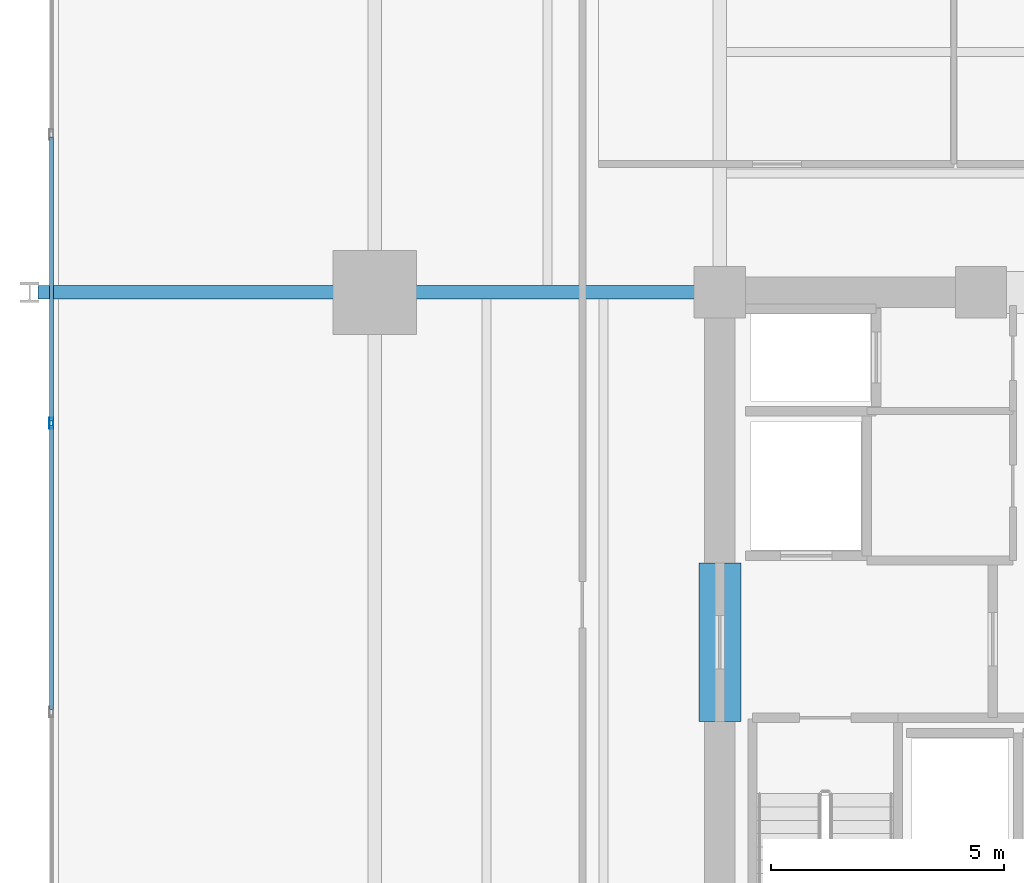
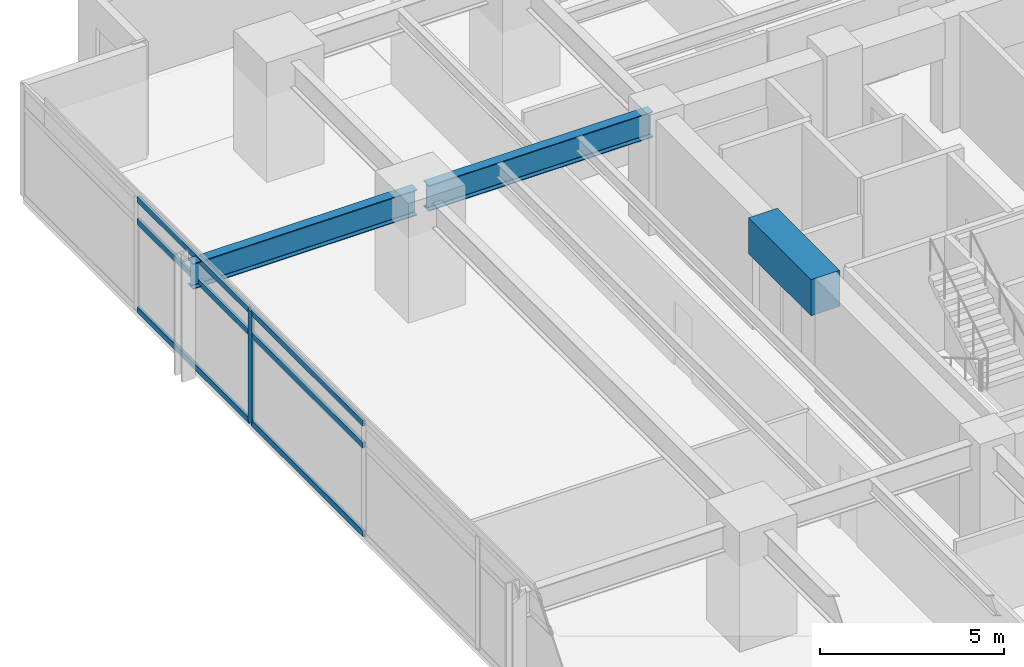
# One storey, part 7 of 22: 7 members, 3 beams, 1 element without a shape of its own.
"""IFC4 building model written with IfcOpenShell, lengths in metres."""

import ifcopenshell
import ifcopenshell.guid

model = None  # the IFC model being written
_history = None  # IfcOwnerHistory: only IFC2X3 demands one
_inside = {}  # id of a spatial element -> (the spatial element, [elements in it])
_under = {}  # id of a project, library or spatial element -> (it, [spatial elements below it])
_declared = {}  # id of a project -> (the project, [libraries it declares])
_typed = {}  # id of a type object -> (the type object, [elements of that type])
_made_of = {}  # id of a material, layer set ... -> (it, [elements and type objects made of it])


def new_model(schema):
    """Start an empty IFC model of exactly this schema.

    Asked for "IFC4X3", IfcOpenShell would pick the latest addendum, in which some entities
    have other attributes; the version numbers below select the first issue.
    IFC2X3 requires an IfcOwnerHistory on every rooted entity: one is made here for all.
    """
    global model, _history
    if schema == "IFC4X3":
        model = ifcopenshell.file(schema_version=(4, 3, 0, 0))
    else:
        model = ifcopenshell.file(schema=schema)
    _inside.clear()
    _under.clear()
    _declared.clear()
    _typed.clear()
    _made_of.clear()
    _history = None
    if model.schema == "IFC2X3":
        org = make("IfcOrganization", Name="unknown")
        user = make(
            "IfcPersonAndOrganization",
            ThePerson=make("IfcPerson", FamilyName="unknown"),
            TheOrganization=org,
        )
        app = make(
            "IfcApplication",
            ApplicationDeveloper=org,
            Version="unknown",
            ApplicationFullName="unknown",
            ApplicationIdentifier="unknown",
        )
        _history = make(
            "IfcOwnerHistory",
            OwningUser=user,
            OwningApplication=app,
            ChangeAction="ADDED",
            CreationDate=0,
        )
    return model


def make(cls, **values):
    """One entity of the class cls with the attributes given. An attribute that is None is left unset."""
    return model.create_entity(
        cls, **{name: value for name, value in values.items() if value is not None}
    )


def rooted(cls, **values):
    """An entity with a GlobalId (a new one), such as an element, a storey or a relation."""
    return make(cls, GlobalId=ifcopenshell.guid.new(), OwnerHistory=_history, **values)


def si_unit(unit_type, name, prefix=None):
    """IfcSIUnit, for example si_unit("LENGTHUNIT", "METRE", prefix="MILLI")."""
    return make("IfcSIUnit", UnitType=unit_type, Prefix=prefix, Name=name)


def assignment(units):
    """IfcUnitAssignment: the units of a project."""
    return None if units is None else make("IfcUnitAssignment", Units=units)


def point(xyz):
    """IfcCartesianPoint."""
    return None if xyz is None else make("IfcCartesianPoint", Coordinates=xyz)


def direction(xyz):
    """IfcDirection."""
    return None if xyz is None else make("IfcDirection", DirectionRatios=xyz)


def frame(location, z_axis=None, x_axis=None):
    """IfcAxis2Placement3D, a coordinate frame: its origin and axes. An axis left out is left unset."""
    return make(
        "IfcAxis2Placement3D",
        Location=point(location),
        Axis=direction(z_axis),
        RefDirection=direction(x_axis),
    )


def frame_2d(location, x_axis=None):
    """IfcAxis2Placement2D, a coordinate frame in the plane: its origin and x axis."""
    return make(
        "IfcAxis2Placement2D", Location=point(location), RefDirection=direction(x_axis)
    )


def origin():
    """The frame at (0, 0, 0) with its axes left unset."""
    return frame((0.0, 0.0, 0.0))


def origin_2d():
    """The frame at (0, 0) in the plane with its x axis left unset."""
    return frame_2d((0.0, 0.0))


def place(relative_to, where):
    """IfcLocalPlacement: puts the frame where relative to a parent placement (None: the world)."""
    return make(
        "IfcLocalPlacement", PlacementRelTo=relative_to, RelativePlacement=where
    )


def context(
    kind, dimensions, precision=None, world=None, true_north=None, identifier=None
):
    """IfcGeometricRepresentationContext, for example the 3D "Model" context."""
    return make(
        "IfcGeometricRepresentationContext",
        ContextIdentifier=identifier,
        ContextType=kind,
        CoordinateSpaceDimension=dimensions,
        Precision=precision,
        WorldCoordinateSystem=world,
        TrueNorth=true_north,
    )


def subcontext(parent, identifier, kind, view, scale=None):
    """IfcGeometricRepresentationSubContext, for example "Body" below "Model"."""
    return make(
        "IfcGeometricRepresentationSubContext",
        ContextIdentifier=identifier,
        ContextType=kind,
        ParentContext=parent,
        TargetScale=scale,
        TargetView=view,
    )


def project(units=None, contexts=None):
    """IfcProject with its units and contexts."""
    return rooted(
        "IfcProject",
        Name="project",
        RepresentationContexts=contexts,
        UnitsInContext=assignment(units),
    )


def spatial(cls, under=None, at=None, **own):
    """A site, building, storey or space (cls), placed at a placement, below another one or the project."""
    s = rooted(cls, ObjectPlacement=at, **own)
    if under is not None:
        _under.setdefault(under.id(), (under, []))[1].append(s)
    return s


def profile(cls, at=None, kind="AREA", **sizes):
    """A parametric profile (cls). Its sizes go by their IFC names, for example OverallWidth=200.0."""
    return make(cls, ProfileType=kind, Position=at, **sizes)


def rectangle(**sizes):
    """IfcRectangleProfileDef."""
    return profile("IfcRectangleProfileDef", **sizes)


def hollow_rectangle(**sizes):
    """IfcRectangleHollowProfileDef."""
    return profile("IfcRectangleHollowProfileDef", **sizes)


def i_section(**sizes):
    """IfcIShapeProfileDef."""
    return profile("IfcIShapeProfileDef", **sizes)


def extrude(swept, where, along, depth):
    """IfcExtrudedAreaSolid: the profile swept, set in the frame where, extruded along a direction by depth."""
    return make(
        "IfcExtrudedAreaSolid",
        SweptArea=swept,
        Position=where,
        ExtrudedDirection=direction(along),
        Depth=depth,
    )


def shape(context_of_items, identifier, shape_type, items):
    """IfcShapeRepresentation: the items that make up one representation, for example the "Body"."""
    return make(
        "IfcShapeRepresentation",
        ContextOfItems=context_of_items,
        RepresentationIdentifier=identifier,
        RepresentationType=shape_type,
        Items=items,
    )


def material(Name=None, Category=None):
    """IfcMaterial."""
    return make("IfcMaterial", Name=Name, Category=Category)


def material_profile(
    of_material, cross_section, Name=None, Category=None, Priority=None
):
    """IfcMaterialProfile: a cross section and its material."""
    return make(
        "IfcMaterialProfile",
        Name=Name,
        Material=of_material,
        Profile=cross_section,
        Priority=Priority,
        Category=Category,
    )


def profile_set(profiles, Name=None, composite=None):
    """IfcMaterialProfileSet."""
    return make(
        "IfcMaterialProfileSet",
        Name=Name,
        MaterialProfiles=profiles,
        CompositeProfile=composite,
    )


def made_of(thing, what):
    """Note that an element or type object is made of a material, layer set ...; save() writes the relation."""
    if what is not None:
        _made_of.setdefault(what.id(), (what, []))[1].append(thing)
    return thing


def type_object(cls, material=None, **own):
    """A type object (cls), such as IfcWallType, which elements share."""
    return made_of(rooted(cls, **own), material)


def element(
    cls,
    number,
    at=None,
    inside=None,
    cuts=None,
    type_object=None,
    material=None,
    context=None,
    identifier="Body",
    shape_type=None,
    held_by="IfcProductDefinitionShape",
    body=None,
    shapes=None,
    **own,
):
    """One element of the class cls, such as IfcWall. Its Tag is "e" and its number.

    at: its placement. inside: the storey or other place that contains it. cuts: it is an
    opening in that element (IfcRelVoidsElement). A single representation is given by context,
    identifier, shape_type and body (its items); several are given by shapes. held_by: the class
    of the entity that holds the representations. save() writes the other relations.
    """
    e = rooted(cls, Tag="e%d" % number, ObjectPlacement=at, **own)
    if body is not None:
        shapes = [shape(context, identifier, shape_type, body)]
    if shapes is not None:
        e.Representation = make(held_by, Representations=shapes)
    if inside is not None:
        _inside.setdefault(inside.id(), (inside, []))[1].append(e)
    if cuts is not None:
        rooted(
            "IfcRelVoidsElement", RelatingBuildingElement=cuts, RelatedOpeningElement=e
        )
    if type_object is not None:
        _typed.setdefault(type_object.id(), (type_object, []))[1].append(e)
    return made_of(e, material)


def aggregate(whole, parts):
    """IfcRelAggregates: a whole, such as a stair, and the parts it consists of."""
    return rooted("IfcRelAggregates", RelatingObject=whole, RelatedObjects=parts)


def save(model, path):
    """Write the relations noted so far, then the file.

    IfcRelAggregates (storeys below a building ...), IfcRelContainedInSpatialStructure (elements
    in a storey), IfcRelDefinesByType, IfcRelAssociatesMaterial and IfcRelDeclares: one each for
    every whole, place, type object, material and project.
    """
    for whole, parts in _under.values():
        aggregate(whole, parts)
    for where, things in _inside.values():
        rooted(
            "IfcRelContainedInSpatialStructure",
            RelatedElements=things,
            RelatingStructure=where,
        )
    for kind, things in _typed.values():
        rooted("IfcRelDefinesByType", RelatedObjects=things, RelatingType=kind)
    for what, things in _made_of.values():
        rooted("IfcRelAssociatesMaterial", RelatedObjects=things, RelatingMaterial=what)
    for by, libraries in _declared.values():
        rooted("IfcRelDeclares", RelatingContext=by, RelatedDefinitions=libraries)
    model.write(path)


model = new_model("IFC4")

# Units and contexts
model_context = context("Model", 3, precision=1e-05, world=origin(), true_north=direction((0.0, 1.0)))
body_context = subcontext(model_context, "Body", "Model", "MODEL_VIEW")
ifc_project = project(units=[si_unit("LENGTHUNIT", "METRE"), si_unit("AREAUNIT", "SQUARE_METRE"), si_unit("VOLUMEUNIT", "CUBIC_METRE"), si_unit("PLANEANGLEUNIT", "RADIAN"), si_unit("MASSUNIT", "GRAM", prefix="KILO")], contexts=[model_context])

# Site, building, storey
site_placement = place(None, origin())
site = spatial("IfcSite", under=ifc_project, at=site_placement, CompositionType="ELEMENT")
building_placement = place(site_placement, origin())
building = spatial("IfcBuilding", under=site, at=building_placement, Name="Kovane Verandah Tower", CompositionType="ELEMENT")
storey_placement = place(building_placement, frame((0.0, 0.0, 43.60009765625)))
storey = spatial("IfcBuildingStorey", under=building, at=storey_placement, Name="L09", CompositionType="ELEMENT", Elevation=43.60009765625)

# Beams
ifc_material_1 = material(Name="Concrete C80/95", Category="concrete")
ifc_material_profile_1 = material_profile(ifc_material_1, rectangle(XDim=0.89990234375, YDim=1.199951171875, at=origin_2d()), Name="RCB900x1200")
ifc_profile_set_1 = profile_set([ifc_material_profile_1], Name="Concrete C80/95")
beam_type_1 = type_object("IfcBeamType", Name="BM-LINTEL-900x1200", PredefinedType="LINTEL", material=ifc_profile_set_1)
beam_placement = place(storey_placement, frame((29.0, 27.300048828125, 3.159912109375), z_axis=(0.0, 1.0, 0.0), x_axis=(-1.0, 0.0, 0.0)))
element("IfcBeam", 1, at=beam_placement, inside=storey, type_object=beam_type_1, Name="L09 Core Coupling Lintel CL-W", PredefinedType="LINTEL", context=body_context, shape_type="SweptSolid", body=[
    extrude(rectangle(XDim=0.89990234375, YDim=1.199951171875, at=origin_2d()), origin(), (0.0, 0.0, 1.0), 3.39990234375),
])
ifc_material_2 = material(Name="Steel S355", Category="steel")
ifc_material_profile_2 = material_profile(ifc_material_2, i_section(OverallWidth=0.293701171875, OverallDepth=0.850830078125, WebThickness=0.01611328125, FlangeThickness=0.02685546875, FilletRadius=0.017822265625, at=origin_2d()), Name="UB838x292x226")
ifc_profile_set_2 = profile_set([ifc_material_profile_2], Name="Steel S355")
beam_type_2 = type_object("IfcBeamType", Name="BM-UB838x226", PredefinedType="BEAM", material=ifc_profile_set_2)
for number, where, z_axis, x_axis, name in (
    (2, (28.820068359375, 36.5, 3.33447265625), (-1.0, 0.0, 0.0), (0.0, -1.0, 0.0), "L09 Primary Tower Girder G-W2"),
    (3, (21.419921875, 36.5, 3.33447265625), (-1.0, 0.0, 0.0), (0.0, -1.0, 0.0), "L09 Primary Tower Girder G-VW2"),
):
    element("IfcBeam", number, at=place(storey_placement, frame(where, z_axis=z_axis, x_axis=x_axis)), inside=storey, type_object=beam_type_2, Name=name, PredefinedType="BEAM", context=body_context, shape_type="SweptSolid", body=[
        extrude(i_section(OverallWidth=0.293701171875, OverallDepth=0.850830078125, WebThickness=0.01611328125, FlangeThickness=0.02685546875, FilletRadius=0.017822265625, at=origin_2d()), origin(), (0.0, 0.0, 1.0), 7.0400390625),
    ])

# Curtain wall, members
ifc_material_3 = material(Name="Champagne Anodised Aluminium Frame with Low-E Clear Laminated Glass", Category="aluminium")
curtain_wall_type = type_object("IfcCurtainWallType", Name="CW-SYS-02-LOW", PredefinedType="NOTDEFINED", material=ifc_material_3)
curtain_wall_placement = place(storey_placement, origin())
curtain_wall = element("IfcCurtainWall", 4, at=curtain_wall_placement, inside=storey, type_object=curtain_wall_type, Name="L09 W Unitised Curtain Wall", PredefinedType="NOTDEFINED")
ifc_material_4 = material(Name="Champagne Anodised Aluminium 6063-T6", Category="aluminium")
ifc_material_profile_3 = material_profile(ifc_material_4, hollow_rectangle(XDim=0.0849609375, YDim=0.22998046875, WallThickness=0.00390625, at=origin_2d()), Name="AL85x230x4")
ifc_profile_set_3 = profile_set([ifc_material_profile_3], Name="Champagne Anodised Aluminium 6063-T6")
member_type_1 = type_object("IfcMemberType", Name="CW-MUL-85x230", PredefinedType="MULLION", material=ifc_profile_set_3)
member_1_placement = place(storey_placement, frame((14.6669921875, 33.69091796875, 0.02001953125), z_axis=(0.0, 0.0, 1.0), x_axis=(-1.0, 0.0, 0.0)))
member_1 = element("IfcMember", 5, at=member_1_placement, type_object=member_type_1, Name="L09 W Unitised Curtain Wall Mullion 3", PredefinedType="MULLION", context=body_context, shape_type="SweptSolid", body=[
    extrude(hollow_rectangle(XDim=0.0849609375, YDim=0.22998046875, WallThickness=0.00390625, at=origin_2d()), origin(), (0.0, 0.0, 1.0), 3.719970703125),
])
ifc_material_profile_4 = material_profile(ifc_material_4, hollow_rectangle(XDim=0.0849609375, YDim=0.18994140625, WallThickness=0.00390625, at=origin_2d()), Name="AL85x190x4")
ifc_profile_set_4 = profile_set([ifc_material_profile_4], Name="Champagne Anodised Aluminium 6063-T6")
member_type_2 = type_object("IfcMemberType", Name="CW-TRN-85x190", PredefinedType="USERDEFINED", material=ifc_profile_set_4)
member_2_placement = place(storey_placement, frame((14.6669921875, 39.83203125, 0.0498046875), z_axis=(0.0, -1.0, 0.0), x_axis=(1.0, 0.0, 0.0)))
member_2 = element("IfcMember", 6, at=member_2_placement, type_object=member_type_2, Name="L09 W Unitised Curtain Wall Transom TB Bay 2", ObjectType="TRANSOM", PredefinedType="USERDEFINED", context=body_context, shape_type="SweptSolid", body=[
    extrude(hollow_rectangle(XDim=0.0849609375, YDim=0.18994140625, WallThickness=0.00390625, at=origin_2d()), origin(), (0.0, 0.0, 1.0), 6.091064453125),
])
member_3_placement = place(storey_placement, frame((14.6669921875, 39.83203125, 2.97998046875), z_axis=(0.0, -1.0, 0.0), x_axis=(1.0, 0.0, 0.0)))
member_3 = element("IfcMember", 7, at=member_3_placement, type_object=member_type_2, Name="L09 W Unitised Curtain Wall Transom TM Bay 2", ObjectType="TRANSOM", PredefinedType="USERDEFINED", context=body_context, shape_type="SweptSolid", body=[
    extrude(hollow_rectangle(XDim=0.0849609375, YDim=0.18994140625, WallThickness=0.00390625, at=origin_2d()), origin(), (0.0, 0.0, 1.0), 6.091064453125),
])
member_4_placement = place(storey_placement, frame((14.6669921875, 39.83203125, 3.7099609375), z_axis=(0.0, -1.0, 0.0), x_axis=(1.0, 0.0, 0.0)))
member_4 = element("IfcMember", 8, at=member_4_placement, type_object=member_type_2, Name="L09 W Unitised Curtain Wall Transom TT Bay 2", ObjectType="TRANSOM", PredefinedType="USERDEFINED", context=body_context, shape_type="SweptSolid", body=[
    extrude(hollow_rectangle(XDim=0.0849609375, YDim=0.18994140625, WallThickness=0.00390625, at=origin_2d()), origin(), (0.0, 0.0, 1.0), 6.091064453125),
])
member_5_placement = place(storey_placement, frame((14.6669921875, 33.64111328125, 0.0498046875), z_axis=(0.0, -1.0, 0.0), x_axis=(1.0, 0.0, 0.0)))
member_5 = element("IfcMember", 9, at=member_5_placement, type_object=member_type_2, Name="L09 W Unitised Curtain Wall Transom TB Bay 3", ObjectType="TRANSOM", PredefinedType="USERDEFINED", context=body_context, shape_type="SweptSolid", body=[
    extrude(hollow_rectangle(XDim=0.0849609375, YDim=0.18994140625, WallThickness=0.00390625, at=origin_2d()), origin(), (0.0, 0.0, 1.0), 6.091064453125),
])
member_6_placement = place(storey_placement, frame((14.6669921875, 33.64111328125, 2.97998046875), z_axis=(0.0, -1.0, 0.0), x_axis=(1.0, 0.0, 0.0)))
member_6 = element("IfcMember", 10, at=member_6_placement, type_object=member_type_2, Name="L09 W Unitised Curtain Wall Transom TM Bay 3", ObjectType="TRANSOM", PredefinedType="USERDEFINED", context=body_context, shape_type="SweptSolid", body=[
    extrude(hollow_rectangle(XDim=0.0849609375, YDim=0.18994140625, WallThickness=0.00390625, at=origin_2d()), origin(), (0.0, 0.0, 1.0), 6.091064453125),
])
member_7_placement = place(storey_placement, frame((14.6669921875, 33.64111328125, 3.7099609375), z_axis=(0.0, -1.0, 0.0), x_axis=(1.0, 0.0, 0.0)))
member_7 = element("IfcMember", 11, at=member_7_placement, type_object=member_type_2, Name="L09 W Unitised Curtain Wall Transom TT Bay 3", ObjectType="TRANSOM", PredefinedType="USERDEFINED", context=body_context, shape_type="SweptSolid", body=[
    extrude(hollow_rectangle(XDim=0.0849609375, YDim=0.18994140625, WallThickness=0.00390625, at=origin_2d()), origin(), (0.0, 0.0, 1.0), 6.091064453125),
])
aggregate(curtain_wall, [member_1, member_2, member_3, member_4, member_5, member_6, member_7])

save(model, "model.ifc")
